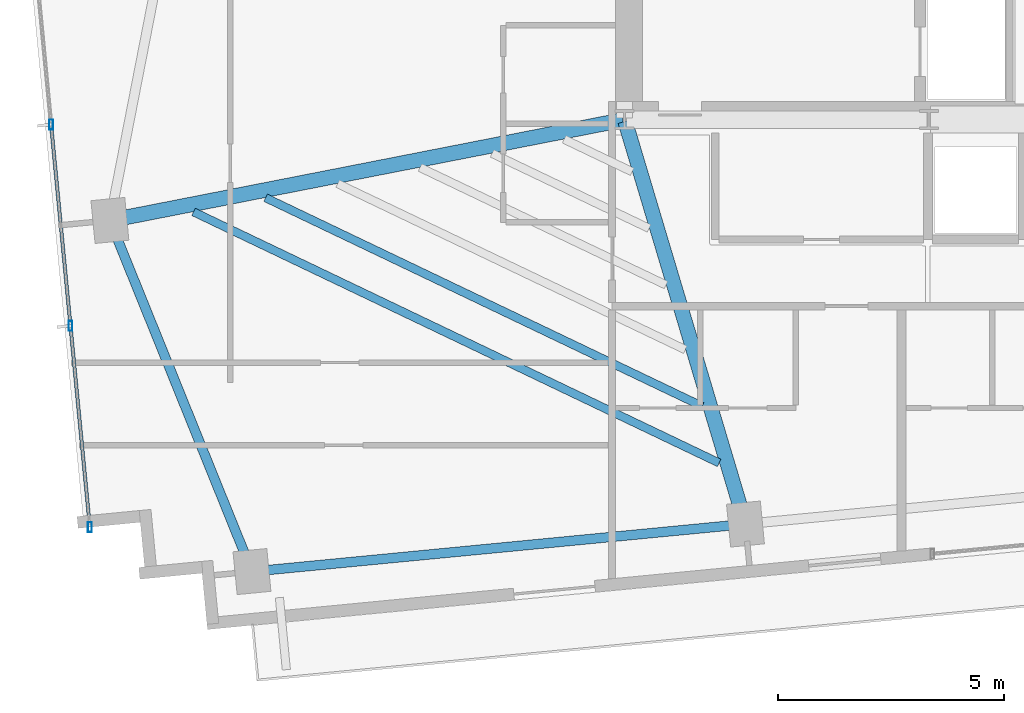
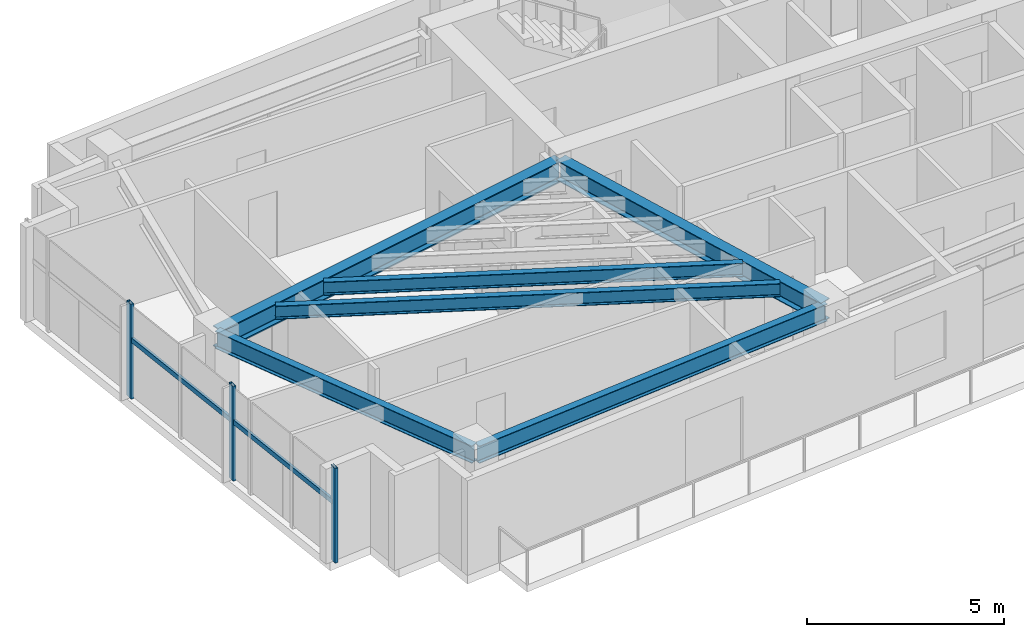
# One storey, part 2 of 18: 6 beams, 5 members, 1 element without a shape of its own.
"""IFC4 building model written with IfcOpenShell, lengths in metres."""

from ifc_helpers import new_model, si_unit, direction, frame, origin, origin_2d, place, context, subcontext, project, spatial, hollow_rectangle, i_section, extrude, source, transform, mapped, material, material_profile, profile_set, type_object, type_shapes, element, aggregate, save


model = new_model("IFC4")

# Units and contexts
model_context = context("Model", 3, precision=1e-05, world=origin(), true_north=direction((0.0, 1.0)))
body_context = subcontext(model_context, "Body", "Model", "MODEL_VIEW")
ifc_project = project(units=[si_unit("LENGTHUNIT", "METRE"), si_unit("AREAUNIT", "SQUARE_METRE"), si_unit("VOLUMEUNIT", "CUBIC_METRE"), si_unit("PLANEANGLEUNIT", "RADIAN"), si_unit("MASSUNIT", "GRAM", prefix="KILO")], contexts=[model_context])

# Site, building, storey
site_placement = place(None, origin())
site = spatial("IfcSite", under=ifc_project, at=site_placement, CompositionType="ELEMENT")
building_placement = place(site_placement, origin())
building = spatial("IfcBuilding", under=site, at=building_placement, Name="Astriad Promenade Condominiums", CompositionType="ELEMENT")
storey_placement = place(building_placement, frame((0.0, 0.0, 185.800048828125)))
storey = spatial("IfcBuildingStorey", under=building, at=storey_placement, Name="L53", CompositionType="ELEMENT", Elevation=185.800048828125)

# Beams
ifc_material_1 = material(Name="Steel ASTM A992 Grade 50", Category="steel")
ifc_material_profile_1 = material_profile(ifc_material_1, i_section(OverallWidth=0.210693359375, OverallDepth=0.53955078125, WebThickness=0.01171875, FlangeThickness=0.018798828125, FilletRadius=0.0166015625, at=origin_2d()), Name="W21X73")
ifc_profile_set_1 = profile_set([ifc_material_profile_1], Name="Steel ASTM A992 Grade 50")
beam_type_1 = type_object("IfcBeamType", Name="STEEL SPANDREL BEAM W21X73", PredefinedType="SPANDREL", material=ifc_profile_set_1)
shared_shape_1 = source(origin(), body_context, "Body", "SweptSolid", [
    extrude(i_section(OverallWidth=0.210693359375, OverallDepth=0.53955078125, WebThickness=0.01171875, FlangeThickness=0.018798828125, FilletRadius=0.0166015625, at=origin_2d()), origin(), (0.0, 0.0, 1.0), 10.8701171875),
])
beam_1_placement = place(storey_placement, frame((18.209228515625, 7.421630859375, 2.670166015625), z_axis=(0.995394986184, 0.09585834069, 0.0), x_axis=(-0.09585834069, 0.995394986184, 0.0)))
element("IfcBeam", 1, at=beam_1_placement, inside=storey, type_object=beam_type_1, Name="Perimeter Spandrel Beam SP-S1-L53", PredefinedType="SPANDREL", context=body_context, shape_type="MappedRepresentation", body=[
    mapped(shared_shape_1, transform((0.0, 0.0, 0.0), scale=1.0)),
])
shared_shape_2 = source(origin(), body_context, "Body", "SweptSolid", [
    extrude(i_section(OverallWidth=0.210693359375, OverallDepth=0.53955078125, WebThickness=0.01171875, FlangeThickness=0.018798828125, FilletRadius=0.0166015625, at=origin_2d()), origin(), (0.0, 0.0, 1.0), 8.28564453125),
])
type_shapes(beam_type_1, [shared_shape_1, shared_shape_2])
beam_2_placement = place(storey_placement, frame((15.046875, 15.1357421875, 2.670166015625), z_axis=(0.375070987134, -0.926996092014, 0.0), x_axis=(0.926996092014, 0.375070987134, 0.0)))
element("IfcBeam", 2, at=beam_2_placement, inside=storey, type_object=beam_type_1, Name="Perimeter Spandrel Beam SP-W1-L53", PredefinedType="SPANDREL", context=body_context, shape_type="MappedRepresentation", body=[
    mapped(shared_shape_2, transform((0.0, 0.0, 0.0), scale=1.0)),
])
ifc_material_profile_2 = material_profile(ifc_material_1, i_section(OverallWidth=0.327392578125, OverallDepth=0.640625, WebThickness=0.01904296875, FlangeThickness=0.033935546875, FilletRadius=0.017822265625, at=origin_2d()), Name="W24X176")
ifc_profile_set_2 = profile_set([ifc_material_profile_2], Name="Steel ASTM A992 Grade 50")
beam_type_2 = type_object("IfcBeamType", Name="STEEL FLOOR GIRDER W24X176", PredefinedType="BEAM", material=ifc_profile_set_2)
shared_shape_3 = source(origin(), body_context, "Body", "SweptSolid", [
    extrude(i_section(OverallWidth=0.327392578125, OverallDepth=0.640625, WebThickness=0.01904296875, FlangeThickness=0.033935546875, FilletRadius=0.017822265625, at=origin_2d()), origin(), (0.0, 0.0, 1.0), 11.504150390625),
])
type_shapes(beam_type_2, [shared_shape_3])
beam_3_placement = place(storey_placement, frame((15.071044921875, 15.1806640625, 2.61962890625), z_axis=(0.981346028441, 0.192249765833, 0.0), x_axis=(-0.192249765833, 0.981346028441, 0.0)))
element("IfcBeam", 3, at=beam_3_placement, inside=storey, type_object=beam_type_2, Name="Primary Floor Girder PG-WM-L53", PredefinedType="BEAM", context=body_context, shape_type="MappedRepresentation", body=[
    mapped(shared_shape_3, transform((0.0, 0.0, 0.0), scale=1.0)),
])
ifc_material_profile_3 = material_profile(ifc_material_1, i_section(OverallWidth=0.326416015625, OverallDepth=0.621826171875, WebThickness=0.015380859375, FlangeThickness=0.0244140625, FilletRadius=0.017822265625, at=origin_2d()), Name="W24X131")
ifc_profile_set_3 = profile_set([ifc_material_profile_3], Name="Steel ASTM A992 Grade 50")
beam_type_3 = type_object("IfcBeamType", Name="STEEL FLOOR GIRDER W24X131", PredefinedType="BEAM", material=ifc_profile_set_3)
shared_shape_4 = source(origin(), body_context, "Body", "SweptSolid", [
    extrude(i_section(OverallWidth=0.326416015625, OverallDepth=0.621826171875, WebThickness=0.015380859375, FlangeThickness=0.0244140625, FilletRadius=0.017822265625, at=origin_2d()), origin(), (0.0, 0.0, 1.0), 9.242919921875),
])
type_shapes(beam_type_3, [shared_shape_4])
beam_4_placement = place(storey_placement, frame((29.0576171875, 8.505615234375, 2.629150390625), z_axis=(-0.286269354745, 0.958149182818, 0.0), x_axis=(-0.958149182818, -0.286269354745, 0.0)))
element("IfcBeam", 4, at=beam_4_placement, inside=storey, type_object=beam_type_3, Name="Primary Floor Girder PG-W2-L53", PredefinedType="BEAM", context=body_context, shape_type="MappedRepresentation", body=[
    mapped(shared_shape_4, transform((0.0, 0.0, 0.0), scale=1.0)),
])
ifc_material_profile_4 = material_profile(ifc_material_1, i_section(OverallWidth=0.180908203125, OverallDepth=0.417236328125, WebThickness=0.010986328125, FlangeThickness=0.018310546875, FilletRadius=0.013916015625, at=origin_2d()), Name="W16X57")
ifc_profile_set_4 = profile_set([ifc_material_profile_4], Name="Steel ASTM A992 Grade 50")
beam_type_4 = type_object("IfcBeamType", Name="STEEL FLOOR JOIST W16X57", PredefinedType="JOIST", material=ifc_profile_set_4)
shared_shape_5 = source(origin(), body_context, "Body", "SweptSolid", [
    extrude(i_section(OverallWidth=0.180908203125, OverallDepth=0.417236328125, WebThickness=0.010986328125, FlangeThickness=0.018310546875, FilletRadius=0.013916015625, at=origin_2d()), origin(), (0.0, 0.0, 1.0), 12.864013671875),
])
beam_5_placement = place(storey_placement, frame((16.8798828125, 15.362060546875, 2.7314453125), z_axis=(0.902332932985, -0.431039763886, 0.0), x_axis=(0.431039763886, 0.902332932985, 0.0)))
element("IfcBeam", 5, at=beam_5_placement, inside=storey, type_object=beam_type_4, Name="Secondary Composite Floor Joist JW1-1-L53", PredefinedType="JOIST", context=body_context, shape_type="MappedRepresentation", body=[
    mapped(shared_shape_5, transform((0.0, 0.0, 0.0), scale=1.0)),
])
shared_shape_6 = source(origin(), body_context, "Body", "SweptSolid", [
    extrude(i_section(OverallWidth=0.180908203125, OverallDepth=0.417236328125, WebThickness=0.010986328125, FlangeThickness=0.018310546875, FilletRadius=0.013916015625, at=origin_2d()), origin(), (0.0, 0.0, 1.0), 10.686279296875),
])
type_shapes(beam_type_4, [shared_shape_5, shared_shape_6])
beam_6_placement = place(storey_placement, frame((18.471435546875, 15.673828125, 2.7314453125), z_axis=(0.902342124644, -0.431020521661, 0.0), x_axis=(0.431020521661, 0.902342124644, 0.0)))
element("IfcBeam", 6, at=beam_6_placement, inside=storey, type_object=beam_type_4, Name="Secondary Composite Floor Joist JW1-2-L53", PredefinedType="JOIST", context=body_context, shape_type="MappedRepresentation", body=[
    mapped(shared_shape_6, transform((0.0, 0.0, 0.0), scale=1.0)),
])

# Curtain wall, members
ifc_material_2 = material(Name="Anodised aluminium Black Dark Glass Unitised", Category="aluminium")
curtain_wall_type = type_object("IfcCurtainWallType", Name="CW-B34-DARK", PredefinedType="USERDEFINED", material=ifc_material_2)
curtain_wall_placement = place(storey_placement, origin())
curtain_wall = element("IfcCurtainWall", 7, at=curtain_wall_placement, inside=storey, type_object=curtain_wall_type, Name="CW-L53-W", ObjectType="UNITISED_CURTAIN_WALL", PredefinedType="USERDEFINED")
ifc_material_3 = material(Name="Anodised aluminium 6063-T6 Black", Category="aluminium")
ifc_material_profile_5 = material_profile(ifc_material_3, hollow_rectangle(XDim=0.0849609375, YDim=0.219970703125, WallThickness=0.0048828125, at=origin_2d()), Name="ALU-MUL-85X220")
ifc_profile_set_5 = profile_set([ifc_material_profile_5], Name="Anodised aluminium 6063-T6 Black")
member_type_1 = type_object("IfcMemberType", Name="MUL-ALU-MUL-85X220", PredefinedType="MULLION", material=ifc_profile_set_5)
shared_shape_7 = source(origin(), body_context, "Body", "SweptSolid", [
    extrude(hollow_rectangle(XDim=0.0849609375, YDim=0.219970703125, WallThickness=0.0048828125, at=origin_2d()), origin(), (0.0, 0.0, 1.0), 2.93994140625),
])
type_shapes(member_type_1, [shared_shape_7])
member_1_placement = place(storey_placement, frame((14.589111328125, 8.3994140625, 0.0), z_axis=(0.0, 0.0, 1.0), x_axis=(1.0, 0.0, 0.0)))
member_1 = element("IfcMember", 8, at=member_1_placement, type_object=member_type_1, Name="CW-L53-W-MUL-00", PredefinedType="MULLION", context=body_context, shape_type="MappedRepresentation", body=[
    mapped(shared_shape_7, transform((0.0, 0.0, 0.0), scale=1.0)),
])
member_2_placement = place(storey_placement, frame((14.160888671875, 12.845458984375, 0.0), z_axis=(0.0, 0.0, 1.0), x_axis=(1.0, 0.0, 0.0)))
member_2 = element("IfcMember", 9, at=member_2_placement, type_object=member_type_1, Name="CW-L53-W-MUL-01", PredefinedType="MULLION", context=body_context, shape_type="MappedRepresentation", body=[
    mapped(shared_shape_7, transform((0.0, 0.0, 0.0), scale=1.0)),
])
member_3_placement = place(storey_placement, frame((13.732666015625, 17.29150390625, 0.0), z_axis=(0.0, 0.0, 1.0), x_axis=(1.0, 0.0, 0.0)))
member_3 = element("IfcMember", 10, at=member_3_placement, type_object=member_type_1, Name="CW-L53-W-MUL-02", PredefinedType="MULLION", context=body_context, shape_type="MappedRepresentation", body=[
    mapped(shared_shape_7, transform((0.0, 0.0, 0.0), scale=1.0)),
])
ifc_material_profile_6 = material_profile(ifc_material_3, hollow_rectangle(XDim=0.074951171875, YDim=0.14990234375, WallThickness=0.004150390625, at=origin_2d()), Name="ALU-TRN-75X150")
ifc_profile_set_6 = profile_set([ifc_material_profile_6], Name="Anodised aluminium 6063-T6 Black")
member_type_2 = type_object("IfcMemberType", Name="TRN-ALU-TRN-75X150", PredefinedType="USERDEFINED", material=ifc_profile_set_6)
shared_shape_8 = source(origin(), body_context, "Body", "SweptSolid", [
    extrude(hollow_rectangle(XDim=0.074951171875, YDim=0.14990234375, WallThickness=0.004150390625, at=origin_2d()), origin(), (0.0, 0.0, 1.0), 4.466552734375),
])
type_shapes(member_type_2, [shared_shape_8])
member_4_placement = place(storey_placement, frame((14.589111328125, 8.3994140625, 1.82275390625), z_axis=(-0.095871755514, 0.995393694221, 0.0), x_axis=(-0.995393694221, -0.095871755514, 0.0)))
member_4 = element("IfcMember", 11, at=member_4_placement, type_object=member_type_2, Name="CW-L53-W-TRN-00-0", ObjectType="TRANSOM", PredefinedType="USERDEFINED", context=body_context, shape_type="MappedRepresentation", body=[
    mapped(shared_shape_8, transform((0.0, 0.0, 0.0), scale=1.0)),
])
member_5_placement = place(storey_placement, frame((14.160888671875, 12.845458984375, 1.82275390625), z_axis=(-0.095871755514, 0.995393694221, 0.0), x_axis=(-0.995393694221, -0.095871755514, 0.0)))
member_5 = element("IfcMember", 12, at=member_5_placement, type_object=member_type_2, Name="CW-L53-W-TRN-01-0", ObjectType="TRANSOM", PredefinedType="USERDEFINED", context=body_context, shape_type="MappedRepresentation", body=[
    mapped(shared_shape_8, transform((0.0, 0.0, 0.0), scale=1.0)),
])
aggregate(curtain_wall, [member_1, member_2, member_3, member_4, member_5])

save(model, "model.ifc")
